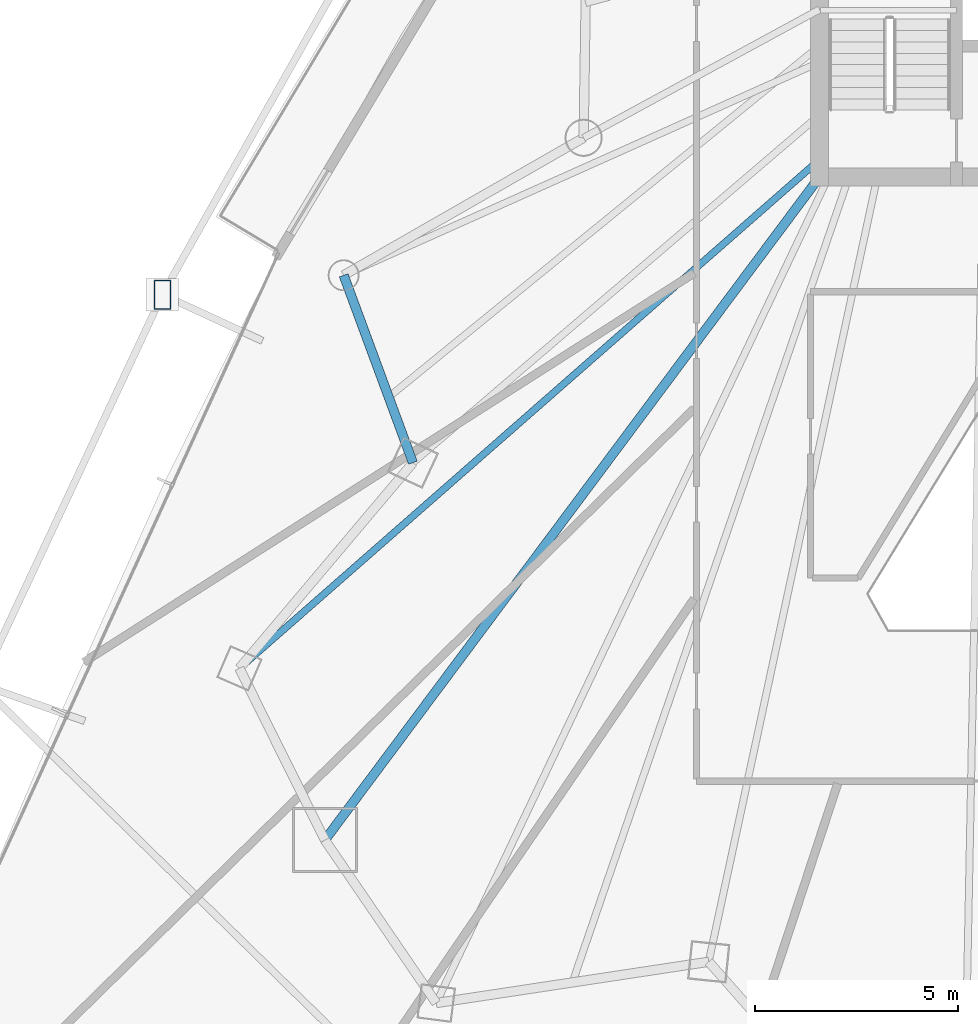
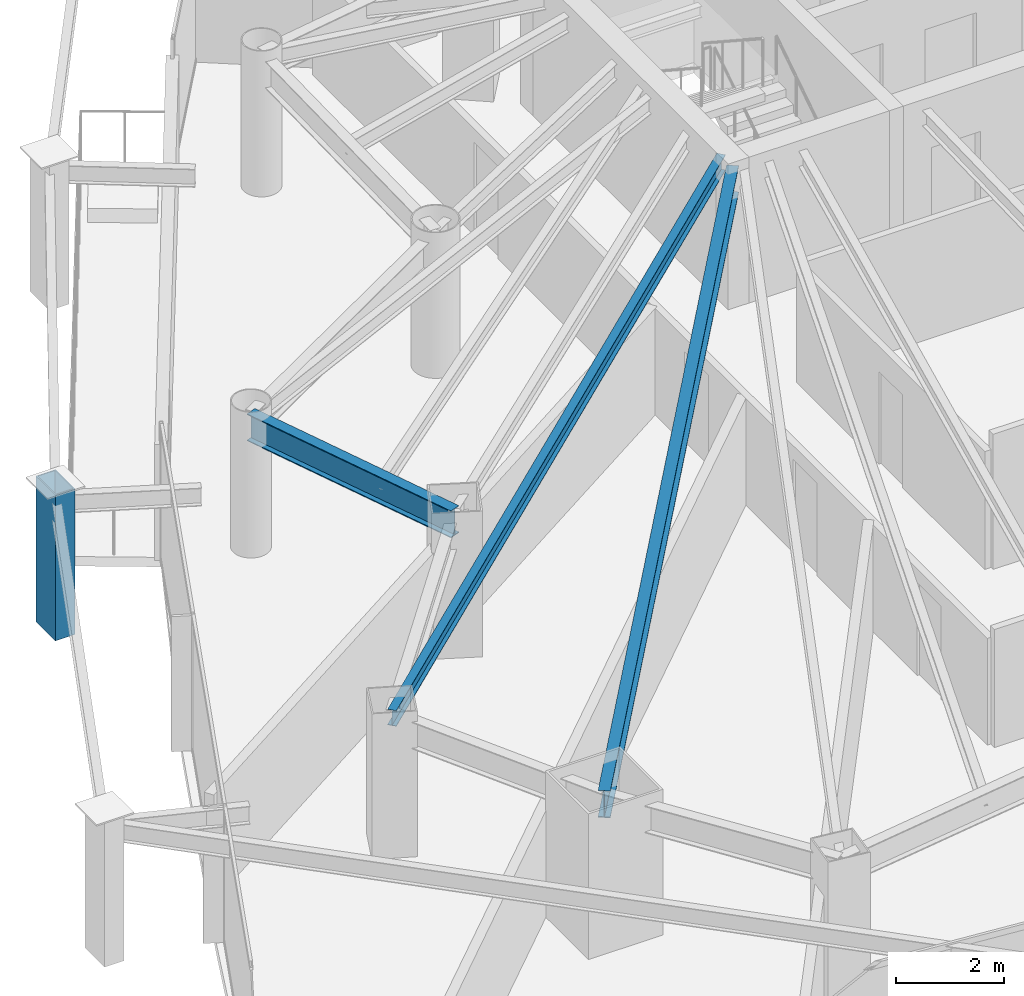
# One storey, part 9 of 33: 3 beams, 1 member.
"""IFC4 building model written with IfcOpenShell, lengths in metres."""

from ifc_helpers import new_model, si_unit, direction, frame, origin, origin_2d, place, context, subcontext, project, spatial, hollow_rectangle, i_section, extrude, material, material_profile, profile_set, type_object, element, save


model = new_model("IFC4")

# Units and contexts
model_context = context("Model", 3, precision=1e-05, world=origin(), true_north=direction((0.0, 1.0)))
body_context = subcontext(model_context, "Body", "Model", "MODEL_VIEW")
ifc_project = project(units=[si_unit("LENGTHUNIT", "METRE"), si_unit("AREAUNIT", "SQUARE_METRE"), si_unit("VOLUMEUNIT", "CUBIC_METRE"), si_unit("PLANEANGLEUNIT", "RADIAN"), si_unit("MASSUNIT", "GRAM", prefix="KILO")], contexts=[model_context])

# Site, building, storey
site_placement = place(None, origin())
site = spatial("IfcSite", under=ifc_project, at=site_placement, CompositionType="ELEMENT")
building_placement = place(site_placement, origin())
building = spatial("IfcBuilding", under=site, at=building_placement, Name="Orvanel Arch Residences", CompositionType="ELEMENT")
storey_placement = place(building_placement, frame((0.0, 0.0, 70.85009765625)))
storey = spatial("IfcBuildingStorey", under=building, at=storey_placement, Name="L19", CompositionType="ELEMENT", Elevation=70.85009765625)

# Beams
ifc_material_1 = material(Name="Structural steel AS/NZS 3679.1 Grade 300 (300 MPa)", Category="steel")
ifc_material_profile_1 = material_profile(ifc_material_1, i_section(OverallWidth=0.22900390625, OverallDepth=0.612060546875, WebThickness=0.011962890625, FlangeThickness=0.01953125, at=origin_2d()), Name="610UB125")
ifc_profile_set_1 = profile_set([ifc_material_profile_1], Name="Structural steel AS/NZS 3679.1 Grade 300 (300 MPa)")
beam_type_1 = type_object("IfcBeamType", Name="BG-610UB", PredefinedType="BEAM", material=ifc_profile_set_1)
beam_1_placement = place(storey_placement, frame((26.375, 26.675048828125, 2.75390625), z_axis=(-0.597893733742, -0.801575375839, 0.0), x_axis=(0.801575375839, -0.597893733742, 0.0)))
element("IfcBeam", 1, at=beam_1_placement, inside=storey, type_object=beam_type_1, Name="L19 South-West Radial Girder", PredefinedType="BEAM", context=body_context, shape_type="SweptSolid", body=[
    extrude(i_section(OverallWidth=0.22900390625, OverallDepth=0.612060546875, WebThickness=0.011962890625, FlangeThickness=0.01953125, at=origin_2d()), origin(), (0.0, 0.0, 1.0), 20.36474609375),
])
ifc_material_profile_2 = material_profile(ifc_material_1, i_section(OverallWidth=0.1708984375, OverallDepth=0.35595703125, WebThickness=0.00732421875, FlangeThickness=0.011474609375, at=origin_2d()), Name="360UB50.7")
ifc_profile_set_2 = profile_set([ifc_material_profile_2], Name="Structural steel AS/NZS 3679.1 Grade 300 (300 MPa)")
beam_type_2 = type_object("IfcBeamType", Name="BJ-360UB", PredefinedType="JOIST", material=ifc_profile_set_2)
beam_2_placement = place(storey_placement, frame((26.375, 27.10009765625, 2.8818359375), z_axis=(-0.751924114057, -0.659249669472, 0.0), x_axis=(0.659249669472, -0.751924114057, 0.0)))
element("IfcBeam", 2, at=beam_2_placement, inside=storey, type_object=beam_type_2, Name="L19 MW Wing Floor Joist", PredefinedType="JOIST", context=body_context, shape_type="SweptSolid", body=[
    extrude(i_section(OverallWidth=0.1708984375, OverallDepth=0.35595703125, WebThickness=0.00732421875, FlangeThickness=0.011474609375, at=origin_2d()), origin(), (0.0, 0.0, 1.0), 18.9912109375),
])

# Member
ifc_material_2 = material(Name="Structural steel AS/NZS 3678 Grade 350", Category="steel")
ifc_material_profile_3 = material_profile(ifc_material_2, hollow_rectangle(XDim=0.419921875, YDim=0.719970703125, WallThickness=0.02490234375, at=origin_2d()), Name="RHS720x420x25")
ifc_profile_set_3 = profile_set([ifc_material_profile_3], Name="Structural steel AS/NZS 3678 Grade 350")
member_type = type_object("IfcMemberType", Name="CH-720RHS-EXT", PredefinedType="CHORD", material=ifc_profile_set_3)
member_placement = place(storey_placement, frame((10.198974609375, 23.779052734375, 0.0), z_axis=(0.0, 0.0, 1.0), x_axis=(1.0, 0.0, 0.0)))
element("IfcMember", 3, at=member_placement, inside=storey, type_object=member_type, Name="L19 Outer Perimeter Frame Post 03", PredefinedType="CHORD", context=body_context, shape_type="SweptSolid", body=[
    extrude(hollow_rectangle(XDim=0.419921875, YDim=0.719970703125, WallThickness=0.02490234375, at=origin_2d()), origin(), (0.0, 0.0, 1.0), 3.2998046875),
])

# Beam
ifc_material_profile_4 = material_profile(ifc_material_1, i_section(OverallWidth=0.22900390625, OverallDepth=0.612060546875, WebThickness=0.011962890625, FlangeThickness=0.01953125, at=origin_2d()), Name="610UB125")
ifc_profile_set_4 = profile_set([ifc_material_profile_4], Name="Structural steel AS/NZS 3679.1 Grade 300 (300 MPa)")
beam_type_3 = type_object("IfcBeamType", Name="SP-610UB", PredefinedType="SPANDREL", material=ifc_profile_set_4)
beam_3_placement = place(storey_placement, frame((14.662109375, 24.256103515625, 2.75390625), z_axis=(0.346588434017, -0.938017301229, 0.0), x_axis=(0.938017301229, 0.346588434017, 0.0)))
element("IfcBeam", 4, at=beam_3_placement, inside=storey, type_object=beam_type_3, Name="L19 Perimeter Spandrel Beam 22", PredefinedType="SPANDREL", context=body_context, shape_type="SweptSolid", body=[
    extrude(i_section(OverallWidth=0.22900390625, OverallDepth=0.612060546875, WebThickness=0.011962890625, FlangeThickness=0.01953125, at=origin_2d()), origin(), (0.0, 0.0, 1.0), 4.9189453125),
])

save(model, "model.ifc")
